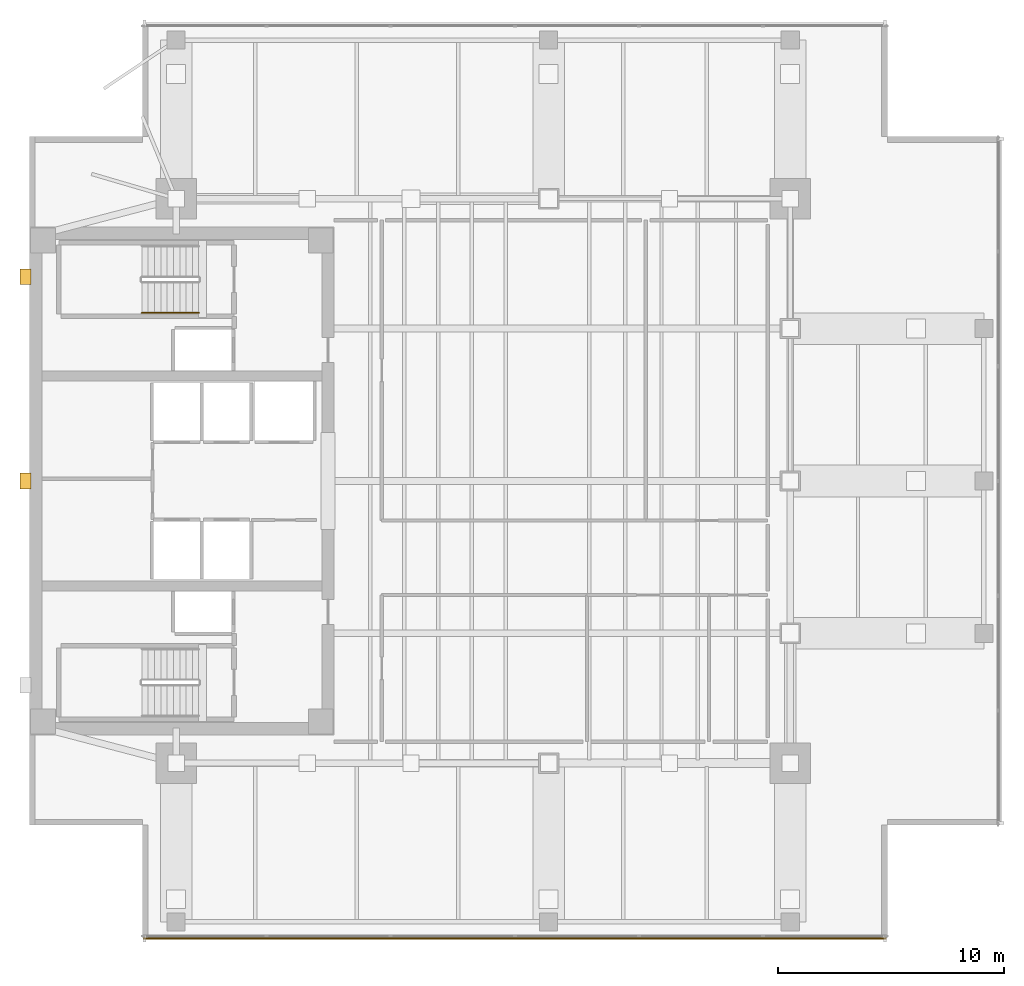
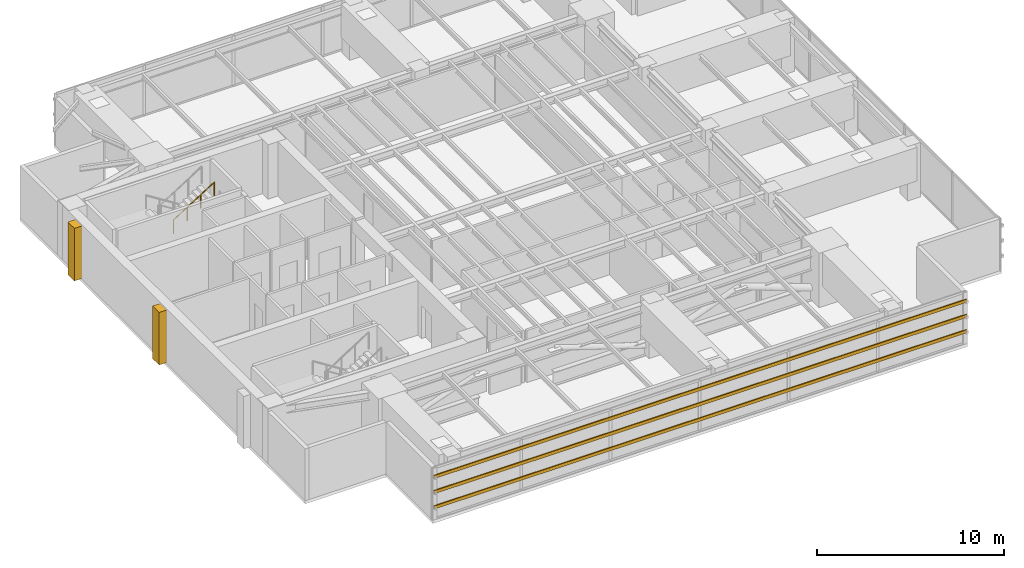
# One storey, part 11 of 13: 3 shading devices, 2 coverings, 1 railing.
"""IFC4 building model written with IfcOpenShell, lengths in metres."""

from ifc_helpers import new_model, si_unit, direction, frame, origin, origin_2d, place, context, subcontext, project, spatial, polyline, rectangle, circle, outline, extrude, material, layer, layer_set, material_profile, profile_set, type_object, element, save


model = new_model("IFC4")

# Units and contexts
model_context = context("Model", 3, precision=1e-05, world=origin(), true_north=direction((0.0, 1.0)))
body_context = subcontext(model_context, "Body", "Model", "MODEL_VIEW")
ifc_project = project(units=[si_unit("LENGTHUNIT", "METRE"), si_unit("AREAUNIT", "SQUARE_METRE"), si_unit("VOLUMEUNIT", "CUBIC_METRE"), si_unit("PLANEANGLEUNIT", "RADIAN"), si_unit("MASSUNIT", "GRAM", prefix="KILO")], contexts=[model_context])

# Site, building, storey
site_placement = place(None, origin())
site = spatial("IfcSite", under=ifc_project, at=site_placement, CompositionType="ELEMENT")
building_placement = place(site_placement, origin())
building = spatial("IfcBuilding", under=site, at=building_placement, Name="Kinhvarn Gate Tower", CompositionType="ELEMENT")
storey_placement = place(building_placement, frame((0.0, 0.0, 241.300048828125)))
storey = spatial("IfcBuildingStorey", under=building, at=storey_placement, Name="L64", CompositionType="ELEMENT", Elevation=241.300048828125)

# Coverings
ifc_material_1 = material(Name="Precast white architectural concrete C40/50", Category="concrete")
ifc_layer = layer(ifc_material_1, 0.47998046875)
ifc_layer_set = layer_set([ifc_layer], Name="Precast white architectural concrete C40/50")
covering_type = type_object("IfcCoveringType", Name="COV-RIB-450", PredefinedType="CLADDING", material=ifc_layer_set)
covering_1_placement = place(storey_placement, frame((0.0, 0.0, -0.02001953125)))
element("IfcCovering", 1, at=covering_1_placement, inside=storey, type_object=covering_type, Name="West Core Sculptural Concrete Relief Rib CRB-450 (L64)", PredefinedType="CLADDING", context=body_context, shape_type="SweptSolid", body=[
    extrude(outline(polyline([(4.080078125, 24.89990234375), (4.56005859375, 24.89990234375), (4.56005859375, 25.60009765625), (4.080078125, 25.60009765625), (4.080078125, 24.89990234375)])), origin(), (0.0, 0.0, 1.0), 3.429931640625),
])
covering_2_placement = place(storey_placement, frame((0.0, 0.0, -0.02001953125)))
element("IfcCovering", 2, at=covering_2_placement, inside=storey, type_object=covering_type, Name="West Core Sculptural Concrete Relief Rib CRB-450 (L64)", PredefinedType="CLADDING", context=body_context, shape_type="SweptSolid", body=[
    extrude(outline(polyline([(4.080078125, 33.949951171875), (4.56005859375, 33.949951171875), (4.56005859375, 34.64990234375), (4.080078125, 34.64990234375), (4.080078125, 33.949951171875)])), origin(), (0.0, 0.0, 1.0), 3.429931640625),
])

# Railing
ifc_material_2 = material(Name="Steel S355", Category="steel")
railing_type = type_object("IfcRailingType", Name="RL-ST-HND", PredefinedType="HANDRAIL", material=ifc_material_2)
railing_placement = place(storey_placement, frame((9.47998046875, 32.699951171875, 1.952392578125)))
element("IfcRailing", 3, at=railing_placement, inside=storey, type_object=railing_type, Name="L64 ST2 stair handrail 2", PredefinedType="HANDRAIL", context=body_context, shape_type="SweptSolid", body=[
    extrude(circle(Radius=0.02392578125, at=origin_2d()), frame((0.0, 0.0, 0.8759765625), z_axis=(0.84456994832, 0.0, 0.535445237532), x_axis=(0.0, 1.0, 0.0)), (0.0, 0.0, 1.0), 2.98388671875),
    extrude(circle(Radius=0.02099609375, at=origin_2d()), origin(), (0.0, 0.0, 1.0), 0.851806640625),
    extrude(circle(Radius=0.02099609375, at=origin_2d()), frame((0.840087890625, 0.0, 0.532470703125)), (0.0, 0.0, 1.0), 0.851806640625),
    extrude(circle(Radius=0.02099609375, at=origin_2d()), frame((1.679931640625, 0.0, 1.065185546875)), (0.0, 0.0, 1.0), 0.851806640625),
    extrude(circle(Radius=0.02099609375, at=origin_2d()), frame((2.52001953125, 0.0, 1.59765625)), (0.0, 0.0, 1.0), 0.851806640625),
])

# Shading devices
ifc_material_3 = material(Name="Anodised aluminium AW-6063", Category="aluminium")
ifc_material_profile = material_profile(ifc_material_3, rectangle(XDim=0.074951171875, YDim=0.199951171875, at=origin_2d()), Name="LOUVRE 75x200")
ifc_profile_set = profile_set([ifc_material_profile], Name="Anodised aluminium AW-6063")
shading_device_type = type_object("IfcShadingDeviceType", Name="SHD-LVR-200", PredefinedType="JALOUSIE", material=ifc_profile_set)
for number, where, z_axis, x_axis, name in (
    (4, (9.5400390625, 4.987548828125, 0.849853515625), (1.0, 0.0, 0.0), (0.0, 1.0, 0.0), "Anodised Aluminium Acoustic Plant Louvre Blade 75x200 mm (L64)"),
    (5, (9.5400390625, 4.987548828125, 1.849853515625), (1.0, 0.0, 0.0), (0.0, 1.0, 0.0), "Anodised Aluminium Acoustic Plant Louvre Blade 75x200 mm (L64)"),
    (6, (9.5400390625, 4.987548828125, 2.83984375), (1.0, 0.0, 0.0), (0.0, 1.0, 0.0), "Anodised Aluminium Acoustic Plant Louvre Blade 75x200 mm (L64)"),
):
    element("IfcShadingDevice", number, at=place(storey_placement, frame(where, z_axis=z_axis, x_axis=x_axis)), inside=storey, type_object=shading_device_type, Name=name, PredefinedType="JALOUSIE", context=body_context, shape_type="SweptSolid", body=[
        extrude(rectangle(XDim=0.074951171875, YDim=0.199951171875, at=origin_2d()), origin(), (0.0, 0.0, 1.0), 32.919921875),
    ])

save(model, "model.ifc")
